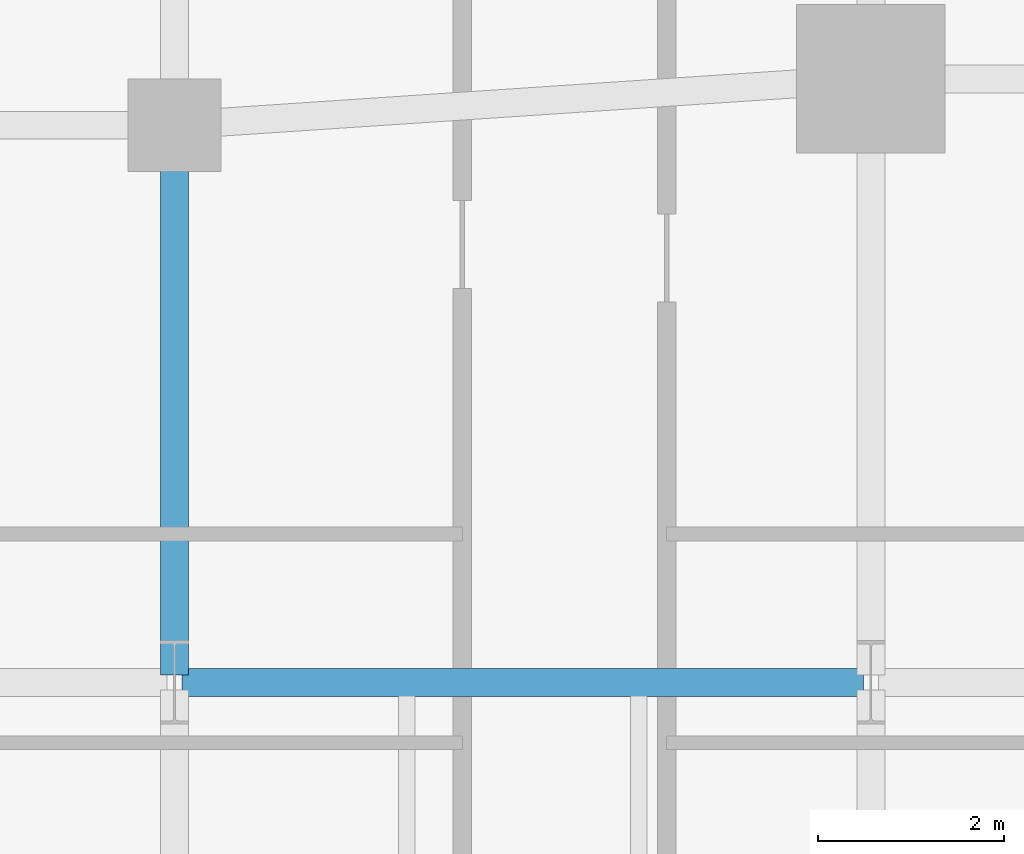
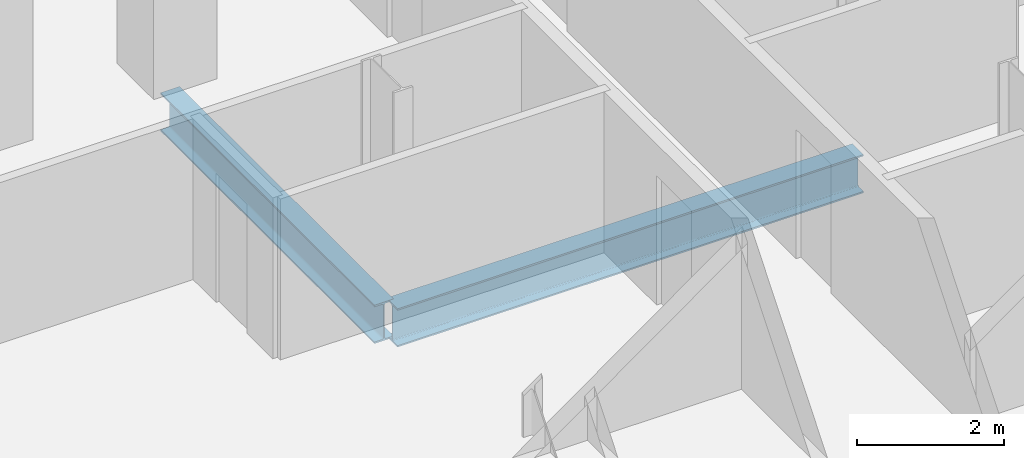
# One storey, part 9 of 31: 2 beams.
"""IFC4 building model written with IfcOpenShell, lengths in metres."""

from ifc_helpers import new_model, si_unit, direction, frame, origin, origin_2d, place, context, subcontext, project, spatial, i_section, extrude, material, material_profile, profile_set, type_object, element, save


model = new_model("IFC4")

# Units and contexts
model_context = context("Model", 3, precision=1e-05, world=origin(), true_north=direction((0.0, 1.0)))
body_context = subcontext(model_context, "Body", "Model", "MODEL_VIEW")
ifc_project = project(units=[si_unit("LENGTHUNIT", "METRE"), si_unit("AREAUNIT", "SQUARE_METRE"), si_unit("VOLUMEUNIT", "CUBIC_METRE"), si_unit("PLANEANGLEUNIT", "RADIAN"), si_unit("MASSUNIT", "GRAM", prefix="KILO")], contexts=[model_context])

# Site, building, storey
site_placement = place(None, origin())
site = spatial("IfcSite", under=ifc_project, at=site_placement, CompositionType="ELEMENT")
building_placement = place(site_placement, origin())
building = spatial("IfcBuilding", under=site, at=building_placement, Name="Catumbela Crestline Tower", CompositionType="ELEMENT")
storey_placement = place(building_placement, frame((0.0, 0.0, 25.8)))
storey = spatial("IfcBuildingStorey", under=building, at=storey_placement, Name="L05", CompositionType="ELEMENT", Elevation=25.8)

# Beams
ifc_material = material(Name="Structural steel S355J2", Category="steel")
ifc_material_profile = material_profile(ifc_material, i_section(OverallWidth=0.3, OverallDepth=0.64, WebThickness=0.0135, FlangeThickness=0.026, FilletRadius=0.027, at=origin_2d()), Name="HEA 650")
ifc_profile_set = profile_set([ifc_material_profile], Name="Structural steel S355J2")
beam_type = type_object("IfcBeamType", Name="BG-HEA650", PredefinedType="BEAM", material=ifc_profile_set)
beam_1_placement = place(storey_placement, frame((8.58, 18.0, -0.58), z_axis=(1.0, 0.0, 0.0), x_axis=(0.0, 1.0, 0.0)))
element("IfcBeam", 1, at=beam_1_placement, inside=storey, type_object=beam_type, Name="L05 Beam BM-L05-WEW55", PredefinedType="BEAM", context=body_context, shape_type="SweptSolid", body=[
    extrude(i_section(OverallWidth=0.3, OverallDepth=0.64, WebThickness=0.0135, FlangeThickness=0.026, FilletRadius=0.027, at=origin_2d()), origin(), (0.0, 0.0, 1.0), 7.34),
])
beam_2_placement = place(storey_placement, frame((8.5, 18.08, -0.58), z_axis=(0.0, 1.0, 0.0), x_axis=(-1.0, 0.0, 0.0)))
element("IfcBeam", 2, at=beam_2_placement, inside=storey, type_object=beam_type, Name="L05 Beam BM-L05-WNS63", PredefinedType="BEAM", context=body_context, shape_type="SweptSolid", body=[
    extrude(i_section(OverallWidth=0.3, OverallDepth=0.64, WebThickness=0.0135, FlangeThickness=0.026, FilletRadius=0.027, at=origin_2d()), origin(), (0.0, 0.0, 1.0), 5.84),
])

save(model, "model.ifc")
